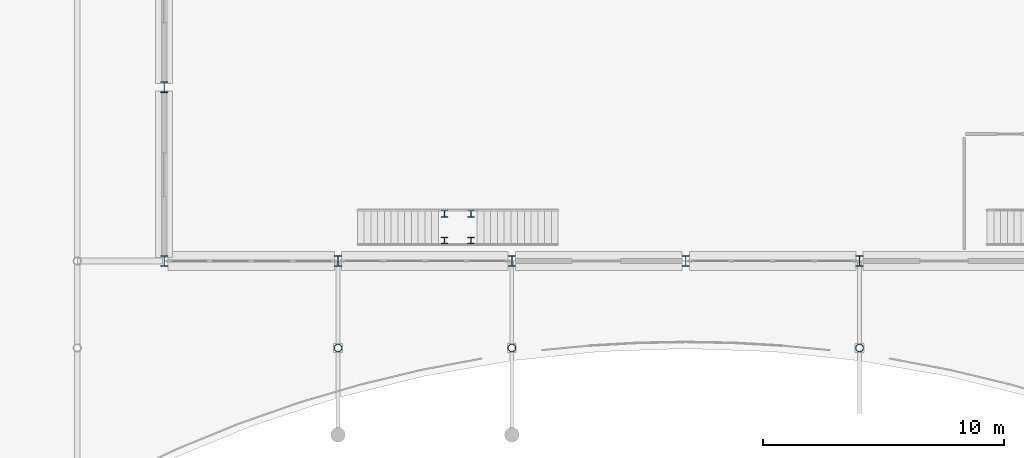
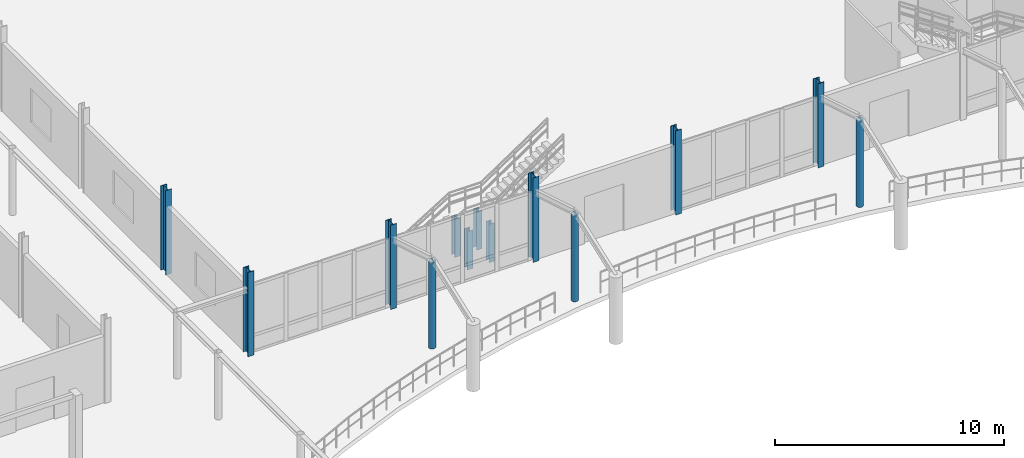
# One storey, part 6 of 139: 13 columns.
"""IFC4 building model written with IfcOpenShell, lengths in metres."""

from ifc_helpers import new_model, si_unit, direction, frame, origin, origin_2d, place, context, subcontext, project, spatial, hollow_circle, i_section, extrude, material, material_profile, profile_set, type_object, element, save


model = new_model("IFC4")

# Units and contexts
model_context = context("Model", 3, precision=1e-05, world=origin(), true_north=direction((0.0, 1.0)))
body_context = subcontext(model_context, "Body", "Model", "MODEL_VIEW")
ifc_project = project(units=[si_unit("LENGTHUNIT", "METRE"), si_unit("AREAUNIT", "SQUARE_METRE"), si_unit("VOLUMEUNIT", "CUBIC_METRE"), si_unit("PLANEANGLEUNIT", "RADIAN"), si_unit("MASSUNIT", "GRAM", prefix="KILO")], contexts=[model_context])

# Site, building, storey
site_placement = place(None, origin())
site = spatial("IfcSite", under=ifc_project, at=site_placement, CompositionType="ELEMENT")
building_placement = place(site_placement, origin())
building = spatial("IfcBuilding", under=site, at=building_placement, Name="Suanplinth Sawtooth Commons", CompositionType="ELEMENT")
storey_placement = place(building_placement, origin())
storey = spatial("IfcBuildingStorey", under=building, at=storey_placement, Name="L00", CompositionType="ELEMENT", Elevation=0.0)

# Columns
ifc_material = material(Name="Steel S355JR", Category="steel")
ifc_material_profile_1 = material_profile(ifc_material, i_section(OverallWidth=0.300048828125, OverallDepth=0.449951171875, WebThickness=0.013916015625, FlangeThickness=0.02587890625, at=origin_2d()), Name="HEB 450")
ifc_profile_set_1 = profile_set([ifc_material_profile_1], Name="Steel S355JR")
column_type_1 = type_object("IfcColumnType", Name="C-09", PredefinedType="COLUMN", material=ifc_profile_set_1)
for number, where, z_axis, x_axis, name in (
    (1, (64.800048828125, 50.39990234375, 0.0), (0.0, 0.0, 1.0), (1.0, 0.0, 0.0), "Column L00 10/H"),
    (2, (64.800048828125, 57.60009765625, 0.0), (0.0, 0.0, 1.0), (1.0, 0.0, 0.0), "Column L00 10/J"),
    (3, (72.0, 50.39990234375, 0.0), (0.0, 0.0, 1.0), (1.0, 0.0, 0.0), "Column L00 11/H"),
    (4, (79.199951171875, 50.39990234375, 0.0), (0.0, 0.0, 1.0), (1.0, 0.0, 0.0), "Column L00 12/H"),
    (5, (86.39990234375, 50.39990234375, 0.0), (0.0, 0.0, 1.0), (1.0, 0.0, 0.0), "Column L00 13/H"),
    (6, (93.60009765625, 50.39990234375, 0.0), (0.0, 0.0, 1.0), (1.0, 0.0, 0.0), "Column L00 14/H"),
):
    element("IfcColumn", number, at=place(storey_placement, frame(where, z_axis=z_axis, x_axis=x_axis)), inside=storey, type_object=column_type_1, Name=name, PredefinedType="COLUMN", context=body_context, shape_type="SweptSolid", body=[
        extrude(i_section(OverallWidth=0.300048828125, OverallDepth=0.449951171875, WebThickness=0.013916015625, FlangeThickness=0.02587890625, at=origin_2d()), origin(), (0.0, 0.0, 1.0), 4.5),
    ])
ifc_material_profile_2 = material_profile(ifc_material, i_section(OverallWidth=0.280029296875, OverallDepth=0.280029296875, WebThickness=0.010498046875, FlangeThickness=0.01806640625, at=origin_2d()), Name="HEB 280")
ifc_profile_set_2 = profile_set([ifc_material_profile_2], Name="Steel S355JR")
column_type_2 = type_object("IfcColumnType", Name="C-11", PredefinedType="COLUMN", material=ifc_profile_set_2)
for number, where, z_axis, x_axis, name in (
    (7, (76.409912109375, 51.25, 0.0), (0.0, 0.0, 1.0), (1.0, 0.0, 0.0), "Community Hall West Gallery Stair Landing Post 1"),
    (8, (77.510009765625, 51.25, 0.0), (0.0, 0.0, 1.0), (1.0, 0.0, 0.0), "Community Hall West Gallery Stair Landing Post 2"),
    (9, (76.409912109375, 52.35009765625, 0.0), (0.0, 0.0, 1.0), (1.0, 0.0, 0.0), "Community Hall West Gallery Stair Landing Post 3"),
    (10, (77.510009765625, 52.35009765625, 0.0), (0.0, 0.0, 1.0), (1.0, 0.0, 0.0), "Community Hall West Gallery Stair Landing Post 4"),
):
    element("IfcColumn", number, at=place(storey_placement, frame(where, z_axis=z_axis, x_axis=x_axis)), inside=storey, type_object=column_type_2, Name=name, PredefinedType="COLUMN", context=body_context, shape_type="SweptSolid", body=[
        extrude(i_section(OverallWidth=0.280029296875, OverallDepth=0.280029296875, WebThickness=0.010498046875, FlangeThickness=0.01806640625, at=origin_2d()), origin(), (0.0, 0.0, 1.0), 2.050048828125),
    ])
ifc_material_profile_3 = material_profile(ifc_material, hollow_circle(Radius=0.161865234375, WallThickness=0.012451171875, at=origin_2d()), Name="CHS 323.9x12.5")
ifc_profile_set_3 = profile_set([ifc_material_profile_3], Name="Steel S355JR")
column_type_3 = type_object("IfcColumnType", Name="C-12", PredefinedType="COLUMN", material=ifc_profile_set_3)
for number, where, z_axis, x_axis, name in (
    (11, (72.0, 46.800048828125, 0.0), (0.0, 0.0, 1.0), (1.0, 0.0, 0.0), "Metro Ridge Column 11"),
    (12, (79.199951171875, 46.800048828125, 0.0), (0.0, 0.0, 1.0), (1.0, 0.0, 0.0), "Metro Ridge Column 12"),
    (13, (93.60009765625, 46.800048828125, 0.0), (0.0, 0.0, 1.0), (1.0, 0.0, 0.0), "Metro Ridge Column 14"),
):
    element("IfcColumn", number, at=place(storey_placement, frame(where, z_axis=z_axis, x_axis=x_axis)), inside=storey, type_object=column_type_3, Name=name, PredefinedType="COLUMN", context=body_context, shape_type="SweptSolid", body=[
        extrude(hollow_circle(Radius=0.161865234375, WallThickness=0.012451171875, at=origin_2d()), origin(), (0.0, 0.0, 1.0), 4.631103515625),
    ])

save(model, "model.ifc")
